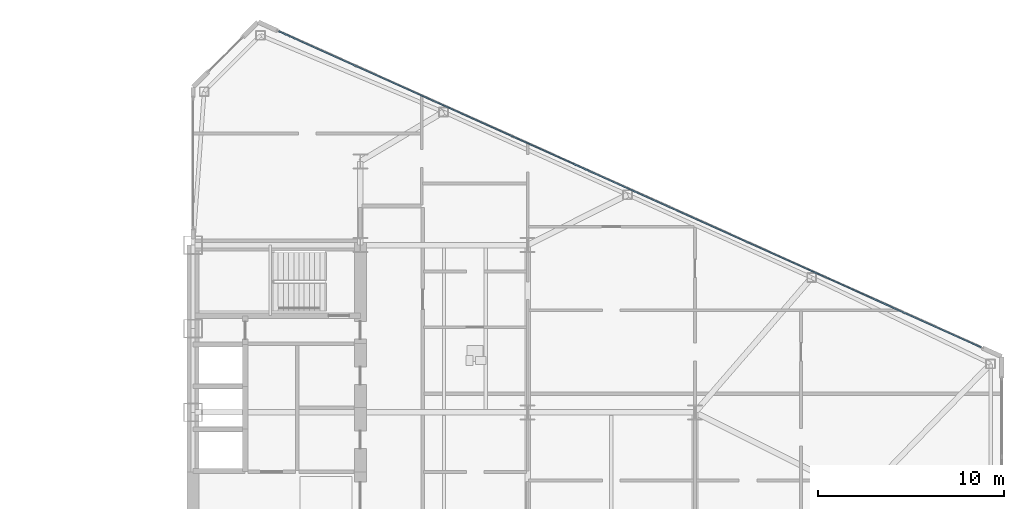
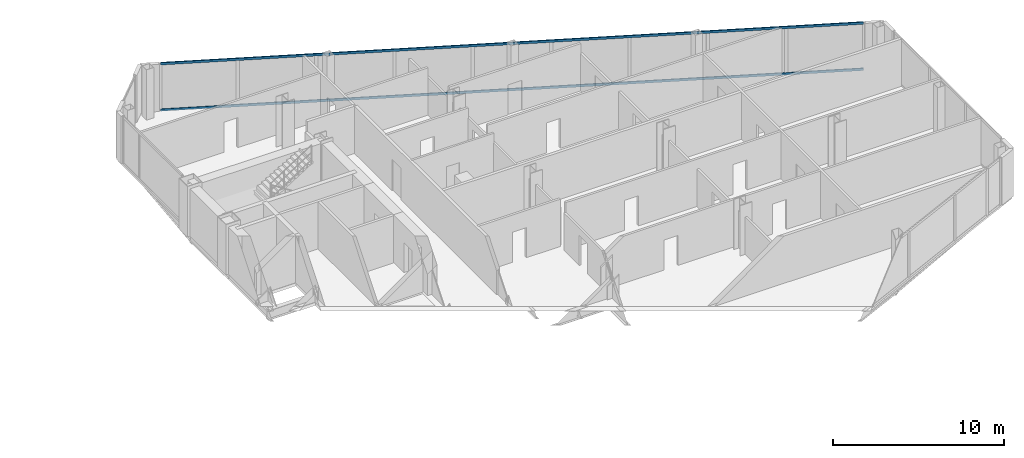
# One storey, part 14 of 27: 2 members, 1 element without a shape of its own.
"""IFC4 building model written with IfcOpenShell, lengths in metres."""

from ifc_helpers import new_model, si_unit, direction, frame, origin, origin_2d, place, context, subcontext, project, spatial, rectangle, extrude, source, transform, mapped, material, layer, layer_set, material_profile, profile_set, type_object, type_shapes, element, aggregate, save


model = new_model("IFC4")

# Units and contexts
model_context = context("Model", 3, precision=1e-05, world=origin(), true_north=direction((0.0, 1.0)))
body_context = subcontext(model_context, "Body", "Model", "MODEL_VIEW")
ifc_project = project(units=[si_unit("LENGTHUNIT", "METRE"), si_unit("AREAUNIT", "SQUARE_METRE"), si_unit("VOLUMEUNIT", "CUBIC_METRE"), si_unit("PLANEANGLEUNIT", "RADIAN"), si_unit("MASSUNIT", "GRAM", prefix="KILO")], contexts=[model_context])

# Site, building, storey
site_placement = place(None, origin())
site = spatial("IfcSite", under=ifc_project, at=site_placement, CompositionType="ELEMENT")
building_placement = place(site_placement, origin())
building = spatial("IfcBuilding", under=site, at=building_placement, Name="Seokmaru Belvedere", CompositionType="ELEMENT")
storey_placement = place(building_placement, frame((0.0, 0.0, 69.300048828125)))
storey = spatial("IfcBuildingStorey", under=building, at=storey_placement, Name="L18", CompositionType="ELEMENT", Elevation=69.300048828125)

# Curtain wall, members
ifc_material_1 = material(Name="Bronze Triple Insulating Glass", Category="glass")
ifc_layer = layer(ifc_material_1, 0.195068359375)
ifc_layer_set = layer_set([ifc_layer], Name="Bronze Triple Insulating Glass")
curtain_wall_type = type_object("IfcCurtainWallType", Name="Lower-Mid Tapered Curtain Wall System CW-3", PredefinedType="NOTDEFINED", material=ifc_layer_set)
curtain_wall_placement = place(storey_placement, origin())
curtain_wall = element("IfcCurtainWall", 1, at=curtain_wall_placement, inside=storey, type_object=curtain_wall_type, Name="L18 Curtain Wall EF3", PredefinedType="NOTDEFINED")
ifc_material_2 = material(Name="Anodised Bronze Aluminium", Category="aluminium")
ifc_material_profile = material_profile(ifc_material_2, rectangle(XDim=0.070068359375, YDim=0.1650390625, at=origin_2d()), Name="CW-T-70x165")
ifc_profile_set = profile_set([ifc_material_profile], Name="Anodised Bronze Aluminium")
member_type = type_object("IfcMemberType", Name="Bronze Unitised Transom 70x165", PredefinedType="USERDEFINED", material=ifc_profile_set)
shared_shape = source(origin(), body_context, "Body", "SweptSolid", [
    extrude(rectangle(XDim=0.070068359375, YDim=0.1650390625, at=origin_2d()), origin(), (0.0, 0.0, 1.0), 41.423583984375),
])
type_shapes(member_type, [shared_shape])
member_1_placement = place(storey_placement, frame((69.887451171875, 8.00048828125, 0.034912109375), z_axis=(-0.911918637916, 0.410371048956, 0.0), x_axis=(-0.410371048956, -0.911918637916, 0.0)))
member_1 = element("IfcMember", 2, at=member_1_placement, type_object=member_type, Name="CW:L18:EF3 Continuous Transom 1", ObjectType="TRANSOM", PredefinedType="USERDEFINED", context=body_context, shape_type="MappedRepresentation", body=[
    mapped(shared_shape, transform((0.0, 0.0, 0.0), scale=1.0)),
])
member_2_placement = place(storey_placement, frame((69.887451171875, 8.00048828125, 3.344970703125), z_axis=(-0.911918637916, 0.410371048956, 0.0), x_axis=(-0.410371048956, -0.911918637916, 0.0)))
member_2 = element("IfcMember", 3, at=member_2_placement, type_object=member_type, Name="CW:L18:EF3 Continuous Transom 2", ObjectType="TRANSOM", PredefinedType="USERDEFINED", context=body_context, shape_type="MappedRepresentation", body=[
    mapped(shared_shape, transform((0.0, 0.0, 0.0), scale=1.0)),
])
aggregate(curtain_wall, [member_1, member_2])

save(model, "model.ifc")
